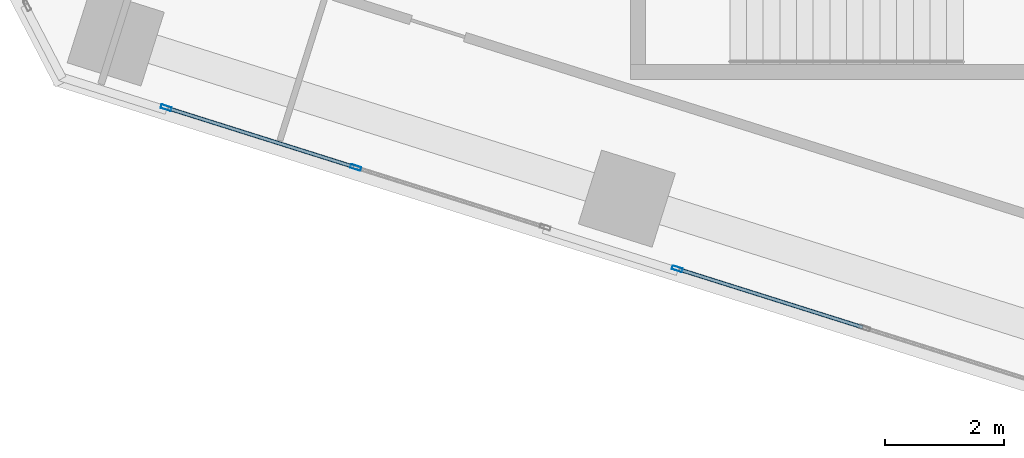
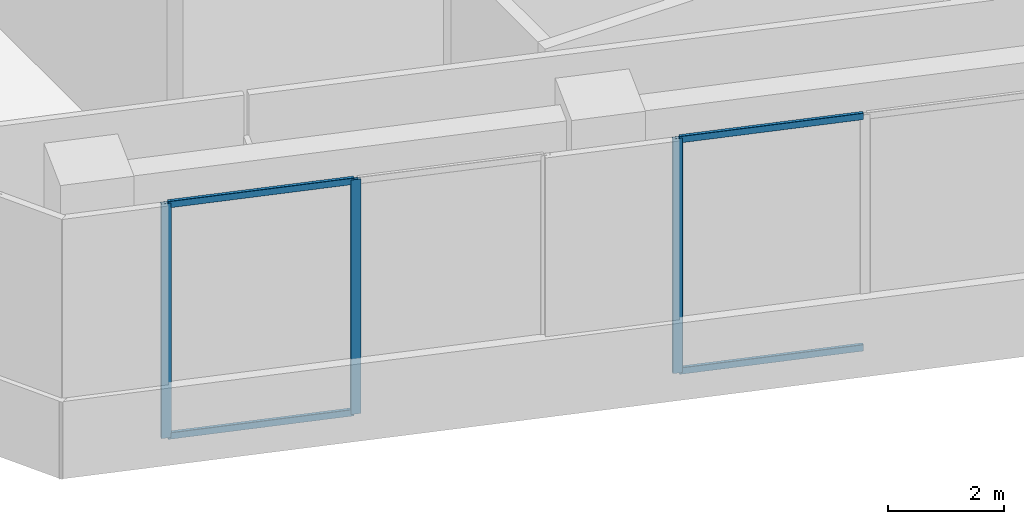
# One storey, part 2 of 28: 7 members, 2 elements without a shape of their own.
"""IFC4 building model written with IfcOpenShell, lengths in metres."""

from ifc_helpers import new_model, si_unit, direction, frame, origin, origin_2d, place, context, subcontext, project, spatial, hollow_rectangle, extrude, source, transform, mapped, material, material_profile, profile_set, type_object, element, aggregate, save


model = new_model("IFC4")

# Units and contexts
model_context = context("Model", 3, precision=1e-05, world=origin(), true_north=direction((0.0, 1.0)))
body_context = subcontext(model_context, "Body", "Model", "MODEL_VIEW")
ifc_project = project(units=[si_unit("LENGTHUNIT", "METRE"), si_unit("AREAUNIT", "SQUARE_METRE"), si_unit("VOLUMEUNIT", "CUBIC_METRE"), si_unit("PLANEANGLEUNIT", "RADIAN"), si_unit("MASSUNIT", "GRAM", prefix="KILO")], contexts=[model_context])

# Site, building, storey
site_placement = place(None, origin())
site = spatial("IfcSite", under=ifc_project, at=site_placement, CompositionType="ELEMENT")
building_placement = place(site_placement, origin())
building = spatial("IfcBuilding", under=site, at=building_placement, Name="Torre Montelarca", CompositionType="ELEMENT")
storey_placement = place(building_placement, frame((0.0, 0.0, 116.800048828125)))
storey = spatial("IfcBuildingStorey", under=building, at=storey_placement, Name="L26", CompositionType="ELEMENT", Elevation=116.800048828125)

# Curtain wall, members
ifc_material_1 = material(Name="Insulated low-E laminated glass", Category="glass")
curtain_wall_type = type_object("IfcCurtainWallType", Name="CW-SYS-Z1", PredefinedType="USERDEFINED", material=ifc_material_1)
curtain_wall_1_placement = place(storey_placement, origin())
curtain_wall_1 = element("IfcCurtainWall", 1, at=curtain_wall_1_placement, inside=storey, type_object=curtain_wall_type, Name="L26 Curtain Wall Run CW-T3-L26-E01-B1", ObjectType="UNITISED GLAZING", PredefinedType="USERDEFINED")
ifc_material_2 = material(Name="Anodised aluminium AA 6063-T6", Category="aluminium")
ifc_material_profile_1 = material_profile(ifc_material_2, hollow_rectangle(XDim=0.06494140625, YDim=0.139892578125, WallThickness=0.00390625, InnerFilletRadius=0.00390625, OuterFilletRadius=0.008056640625, at=origin_2d()), Name="ALU65X140X4", Category="aluminium")
ifc_profile_set_1 = profile_set([ifc_material_profile_1], Name="Anodised aluminium AA 6063-T6")
member_type_1 = type_object("IfcMemberType", Name="CWT-ALU140", PredefinedType="USERDEFINED", material=ifc_profile_set_1)
shared_shape_1 = source(origin(), body_context, "Body", "SweptSolid", [
    extrude(hollow_rectangle(XDim=0.06494140625, YDim=0.139892578125, WallThickness=0.00390625, InnerFilletRadius=0.00390625, OuterFilletRadius=0.008056640625, at=origin_2d()), origin(), (0.0, 0.0, 1.0), 3.2724609375),
])
member_1_placement = place(storey_placement, frame((5.284423828125, 18.165771484375, 0.032470703125), z_axis=(0.953733631686, -0.300652889213, 0.0), x_axis=(0.300652889213, 0.953733631686, 0.0)))
member_1 = element("IfcMember", 2, at=member_1_placement, type_object=member_type_1, Name="CW transom 1.1", ObjectType="TRANSOM", PredefinedType="USERDEFINED", context=body_context, shape_type="MappedRepresentation", body=[
    mapped(shared_shape_1, transform((0.0, 0.0, 0.0), scale=1.0)),
])
member_2_placement = place(storey_placement, frame((5.284423828125, 18.165771484375, 4.887451171875), z_axis=(0.953733631686, -0.300652889213, 0.0), x_axis=(0.300652889213, 0.953733631686, 0.0)))
member_2 = element("IfcMember", 3, at=member_2_placement, type_object=member_type_1, Name="CW transom 1.2", ObjectType="TRANSOM", PredefinedType="USERDEFINED", context=body_context, shape_type="MappedRepresentation", body=[
    mapped(shared_shape_1, transform((0.0, 0.0, 0.0), scale=1.0)),
])

curtain_wall_2_placement = place(storey_placement, origin())
curtain_wall_2 = element("IfcCurtainWall", 4, at=curtain_wall_2_placement, inside=storey, type_object=curtain_wall_type, Name="L26 Curtain Wall Run CW-T3-L26-E01-B2", ObjectType="UNITISED GLAZING", PredefinedType="USERDEFINED")
shared_shape_2 = source(origin(), body_context, "Body", "SweptSolid", [
    extrude(hollow_rectangle(XDim=0.06494140625, YDim=0.139892578125, WallThickness=0.00390625, InnerFilletRadius=0.00390625, OuterFilletRadius=0.008056640625, at=origin_2d()), origin(), (0.0, 0.0, 1.0), 3.235107421875),
])
member_3_placement = place(storey_placement, frame((13.867919921875, 15.45947265625, 0.032470703125), z_axis=(0.953733096798, -0.300654585982, 0.0), x_axis=(0.300654585982, 0.953733096798, 0.0)))
member_3 = element("IfcMember", 5, at=member_3_placement, type_object=member_type_1, Name="CW transom 1.1", ObjectType="TRANSOM", PredefinedType="USERDEFINED", context=body_context, shape_type="MappedRepresentation", body=[
    mapped(shared_shape_2, transform((0.0, 0.0, 0.0), scale=1.0)),
])
member_4_placement = place(storey_placement, frame((13.867919921875, 15.45947265625, 4.887451171875), z_axis=(0.953733096798, -0.300654585982, 0.0), x_axis=(0.300654585982, 0.953733096798, 0.0)))
member_4 = element("IfcMember", 6, at=member_4_placement, type_object=member_type_1, Name="CW transom 1.2", ObjectType="TRANSOM", PredefinedType="USERDEFINED", context=body_context, shape_type="MappedRepresentation", body=[
    mapped(shared_shape_2, transform((0.0, 0.0, 0.0), scale=1.0)),
])

# Member
ifc_material_profile_2 = material_profile(ifc_material_2, hollow_rectangle(XDim=0.06494140625, YDim=0.179931640625, WallThickness=0.00390625, InnerFilletRadius=0.00390625, OuterFilletRadius=0.008056640625, at=origin_2d()), Name="ALU65X180X4", Category="aluminium")
ifc_profile_set_2 = profile_set([ifc_material_profile_2], Name="Anodised aluminium AA 6063-T6")
member_type_2 = type_object("IfcMemberType", Name="CWM-ALU180", PredefinedType="MULLION", material=ifc_profile_set_2)
shared_shape_3 = source(origin(), body_context, "Body", "SweptSolid", [
    extrude(hollow_rectangle(XDim=0.06494140625, YDim=0.179931640625, WallThickness=0.00390625, InnerFilletRadius=0.00390625, OuterFilletRadius=0.008056640625, at=origin_2d()), origin(), (0.0, 0.0, 1.0), 4.919921875),
])
member_5_placement = place(storey_placement, frame((5.25341796875, 18.175537109375, 0.0), z_axis=(0.0, 0.0, 1.0), x_axis=(0.300709558589, 0.953715765505, 0.0)))
member_5 = element("IfcMember", 7, at=member_5_placement, type_object=member_type_2, Name="CW mullion 1", PredefinedType="MULLION", context=body_context, shape_type="MappedRepresentation", body=[
    mapped(shared_shape_3, transform((0.0, 0.0, 0.0), scale=1.0)),
])

member_6_placement = place(storey_placement, frame((8.4365234375, 17.172119140625, 0.0), z_axis=(0.0, 0.0, 1.0), x_axis=(0.300709558589, 0.953715765505, 0.0)))
member_6 = element("IfcMember", 8, at=member_6_placement, type_object=member_type_2, Name="CW mullion 2", PredefinedType="MULLION", context=body_context, shape_type="MappedRepresentation", body=[
    mapped(shared_shape_3, transform((0.0, 0.0, 0.0), scale=1.0)),
])

aggregate(curtain_wall_1, [member_5, member_6, member_1, member_2])

member_7_placement = place(storey_placement, frame((13.8369140625, 15.46923828125, 0.0), z_axis=(0.0, 0.0, 1.0), x_axis=(0.300692595648, 0.953721113808, 0.0)))
member_7 = element("IfcMember", 9, at=member_7_placement, type_object=member_type_2, Name="CW mullion 1", PredefinedType="MULLION", context=body_context, shape_type="MappedRepresentation", body=[
    mapped(shared_shape_3, transform((0.0, 0.0, 0.0), scale=1.0)),
])

aggregate(curtain_wall_2, [member_7, member_3, member_4])

save(model, "model.ifc")
